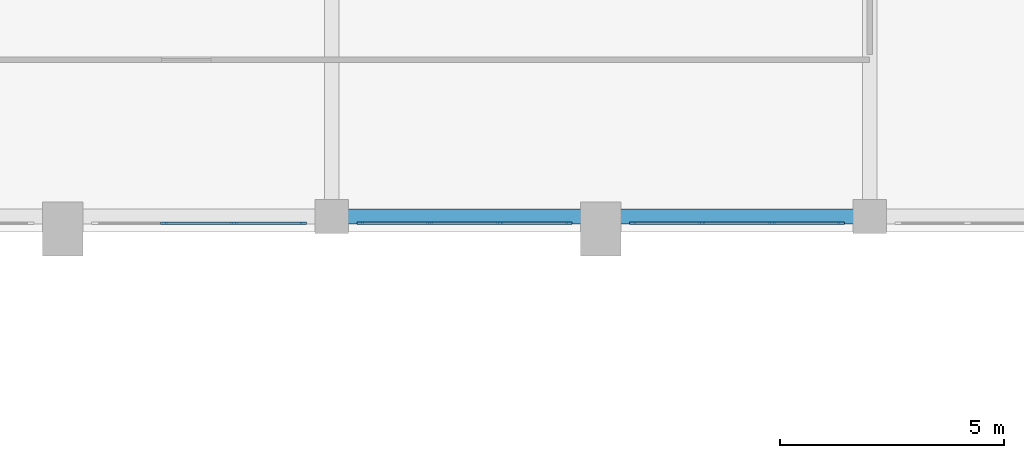
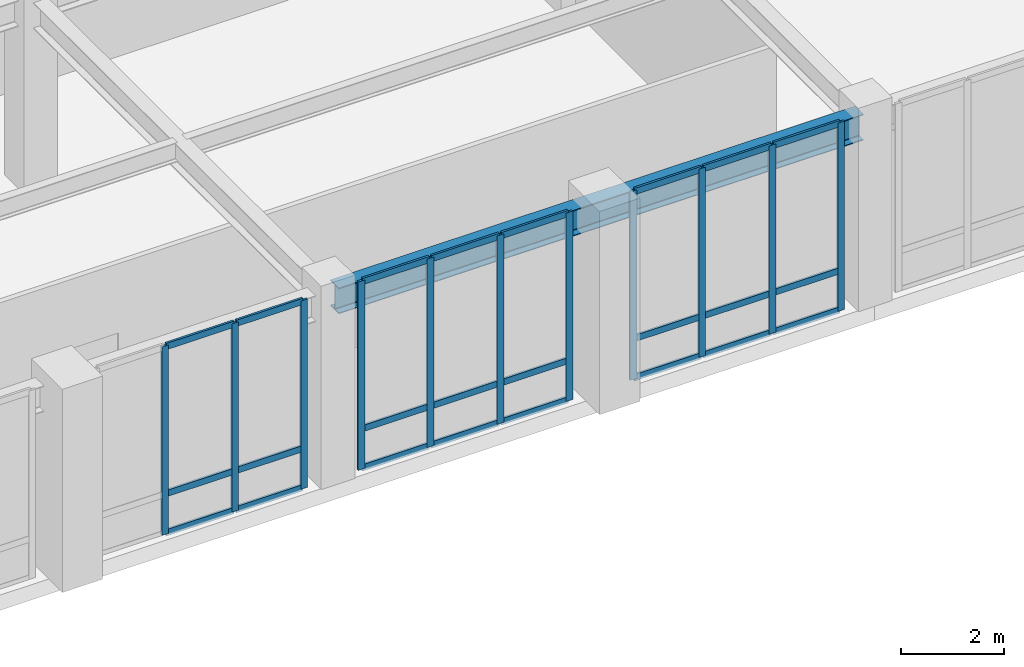
# One storey, part 62 of 126: 35 members, 1 beam, 3 elements without a shape of their own.
"""IFC4 building model written with IfcOpenShell, lengths in metres."""

from ifc_helpers import new_model, si_unit, derived_unit, direction, frame, origin, origin_2d, place, context, subcontext, project, spatial, rectangle, i_section, extrude, material, layer, layer_set, material_profile, profile_set, type_object, element, aggregate, save


model = new_model("IFC4")

# Units and contexts
model_context = context("Model", 3, precision=1e-05, world=origin(), true_north=direction((0.0, 1.0)))
body_context = subcontext(model_context, "Body", "Model", "MODEL_VIEW")
ifc_project = project(units=[si_unit("LENGTHUNIT", "METRE"), si_unit("AREAUNIT", "SQUARE_METRE"), si_unit("VOLUMEUNIT", "CUBIC_METRE"), si_unit("PLANEANGLEUNIT", "RADIAN"), si_unit("MASSUNIT", "GRAM", prefix="KILO"), derived_unit("THERMALTRANSMITTANCEUNIT", [(si_unit("MASSUNIT", "GRAM", prefix="KILO"), 1), (si_unit("TIMEUNIT", "SECOND"), -3), (si_unit("THERMODYNAMICTEMPERATUREUNIT", "KELVIN"), -1)])], contexts=[model_context])

# Site, building, storey
site_placement = place(None, origin())
site = spatial("IfcSite", under=ifc_project, at=site_placement, CompositionType="ELEMENT")
building_placement = place(site_placement, origin())
building = spatial("IfcBuilding", under=site, at=building_placement, Name="Valcora Ridge Arena", CompositionType="ELEMENT")
storey_placement = place(building_placement, frame((0.0, 0.0, 11.39990234375)))
storey = spatial("IfcBuildingStorey", under=building, at=storey_placement, Name="L02", CompositionType="ELEMENT", Elevation=11.39990234375)

# Beam
ifc_material_1 = material(Name="Steel ASTM A572 Grade 50", Category="steel")
ifc_material_profile_1 = material_profile(ifc_material_1, i_section(OverallWidth=0.324951171875, OverallDepth=0.612060546875, WebThickness=0.0126953125, FlangeThickness=0.01904296875, FilletRadius=0.01806640625, at=origin_2d()), Name="W24X104")
ifc_profile_set_1 = profile_set([ifc_material_profile_1], Name="Steel ASTM A572 Grade 50")
beam_type = type_object("IfcBeamType", Name="TY-BEAM-G-W24X104-X", PredefinedType="BEAM", material=ifc_profile_set_1)
beam_placement = place(storey_placement, frame((132.139892578125, 108.699951171875, 4.14404296875), z_axis=(1.0, 0.0, 0.0), x_axis=(0.0, 1.0, 0.0)))
element("IfcBeam", 1, at=beam_placement, inside=storey, type_object=beam_type, Name="G-W24X104-X BEM-G-W24X104-X-0075", PredefinedType="BEAM", context=body_context, shape_type="SweptSolid", body=[
    extrude(i_section(OverallWidth=0.324951171875, OverallDepth=0.612060546875, WebThickness=0.0126953125, FlangeThickness=0.01904296875, FilletRadius=0.01806640625, at=origin_2d()), origin(), (0.0, 0.0, 1.0), 11.72021484375),
])

# Curtain wall, members
ifc_material_2 = material(Name="Anodised dark bronze architectural aluminium 6063-T6", Category="aluminium")
ifc_layer = layer(ifc_material_2, 0.14990234375, Name="Anodised dark bronze architectural aluminium 6063-T6")
ifc_layer_set = layer_set([ifc_layer], Name="Anodised dark bronze architectural aluminium 6063-T6")
curtain_wall_type = type_object("IfcCurtainWallType", Name="TY-CURTAINWALL-CW-V5-MED-047X44", PredefinedType="NOTDEFINED", material=ifc_layer_set)
curtain_wall_1_placement = place(storey_placement, origin())
curtain_wall_1 = element("IfcCurtainWall", 2, at=curtain_wall_1_placement, inside=storey, type_object=curtain_wall_type, Name="CW-V5-MED-047X44 CW-0327", PredefinedType="NOTDEFINED")
ifc_material_profile_2 = material_profile(ifc_material_2, rectangle(XDim=0.050048828125, YDim=0.14990234375, at=origin_2d()), Name="ALU MULLION 50x150")
ifc_profile_set_2 = profile_set([ifc_material_profile_2], Name="Anodised dark bronze architectural aluminium 6063-T6")
member_type_1 = type_object("IfcMemberType", Name="TY-MEM-CWM-50x150", PredefinedType="MULLION", material=ifc_profile_set_2)
member_1_placement = place(storey_placement, frame((128.2548828125, 108.550048828125, 0.0), z_axis=(0.0, 0.0, 1.0), x_axis=(0.0, 1.0, 0.0)))
member_1 = element("IfcMember", 3, at=member_1_placement, type_object=member_type_1, Name="CW-0327/CWM-50x150/M01", PredefinedType="MULLION", context=body_context, shape_type="SweptSolid", body=[
    extrude(rectangle(XDim=0.050048828125, YDim=0.14990234375, at=origin_2d()), origin(), (0.0, 0.0, 1.0), 4.4501953125),
])
member_2_placement = place(storey_placement, frame((129.820068359375, 108.550048828125, 0.0), z_axis=(0.0, 0.0, 1.0), x_axis=(0.0, 1.0, 0.0)))
member_2 = element("IfcMember", 4, at=member_2_placement, type_object=member_type_1, Name="CW-0327/CWM-50x150/M02", PredefinedType="MULLION", context=body_context, shape_type="SweptSolid", body=[
    extrude(rectangle(XDim=0.050048828125, YDim=0.14990234375, at=origin_2d()), origin(), (0.0, 0.0, 1.0), 4.4501953125),
])
member_3_placement = place(storey_placement, frame((131.360107421875, 108.550048828125, 0.0), z_axis=(0.0, 0.0, 1.0), x_axis=(0.0, 1.0, 0.0)))
member_3 = element("IfcMember", 5, at=member_3_placement, type_object=member_type_1, Name="CW-0327/CWM-50x150/M03", PredefinedType="MULLION", context=body_context, shape_type="SweptSolid", body=[
    extrude(rectangle(XDim=0.050048828125, YDim=0.14990234375, at=origin_2d()), origin(), (0.0, 0.0, 1.0), 4.4501953125),
])

curtain_wall_2_placement = place(storey_placement, origin())
curtain_wall_2 = element("IfcCurtainWall", 6, at=curtain_wall_2_placement, inside=storey, type_object=curtain_wall_type, Name="CW-V5-MED-047X44 CW-0328", PredefinedType="NOTDEFINED")
member_4_placement = place(storey_placement, frame((132.639892578125, 108.550048828125, 0.0), z_axis=(0.0, 0.0, 1.0), x_axis=(0.0, 1.0, 0.0)))
member_4 = element("IfcMember", 7, at=member_4_placement, type_object=member_type_1, Name="CW-0328/CWM-50x150/M00", PredefinedType="MULLION", context=body_context, shape_type="SweptSolid", body=[
    extrude(rectangle(XDim=0.050048828125, YDim=0.14990234375, at=origin_2d()), origin(), (0.0, 0.0, 1.0), 4.4501953125),
])
member_5_placement = place(storey_placement, frame((134.179931640625, 108.550048828125, 0.0), z_axis=(0.0, 0.0, 1.0), x_axis=(0.0, 1.0, 0.0)))
member_5 = element("IfcMember", 8, at=member_5_placement, type_object=member_type_1, Name="CW-0328/CWM-50x150/M01", PredefinedType="MULLION", context=body_context, shape_type="SweptSolid", body=[
    extrude(rectangle(XDim=0.050048828125, YDim=0.14990234375, at=origin_2d()), origin(), (0.0, 0.0, 1.0), 4.4501953125),
])
member_6_placement = place(storey_placement, frame((135.7451171875, 108.550048828125, 0.0), z_axis=(0.0, 0.0, 1.0), x_axis=(0.0, 1.0, 0.0)))
member_6 = element("IfcMember", 9, at=member_6_placement, type_object=member_type_1, Name="CW-0328/CWM-50x150/M02", PredefinedType="MULLION", context=body_context, shape_type="SweptSolid", body=[
    extrude(rectangle(XDim=0.050048828125, YDim=0.14990234375, at=origin_2d()), origin(), (0.0, 0.0, 1.0), 4.4501953125),
])
member_7_placement = place(storey_placement, frame((137.284912109375, 108.550048828125, 0.0), z_axis=(0.0, 0.0, 1.0), x_axis=(0.0, 1.0, 0.0)))
member_7 = element("IfcMember", 10, at=member_7_placement, type_object=member_type_1, Name="CW-0328/CWM-50x150/M03", PredefinedType="MULLION", context=body_context, shape_type="SweptSolid", body=[
    extrude(rectangle(XDim=0.050048828125, YDim=0.14990234375, at=origin_2d()), origin(), (0.0, 0.0, 1.0), 4.4501953125),
])

curtain_wall_3_placement = place(storey_placement, origin())
curtain_wall_3 = element("IfcCurtainWall", 11, at=curtain_wall_3_placement, inside=storey, type_object=curtain_wall_type, Name="CW-V5-MED-047X44 CW-0329", PredefinedType="NOTDEFINED")
member_8_placement = place(storey_placement, frame((138.715087890625, 108.550048828125, 0.0), z_axis=(0.0, 0.0, 1.0), x_axis=(0.0, 1.0, 0.0)))
member_8 = element("IfcMember", 12, at=member_8_placement, type_object=member_type_1, Name="CW-0329/CWM-50x150/M00", PredefinedType="MULLION", context=body_context, shape_type="SweptSolid", body=[
    extrude(rectangle(XDim=0.050048828125, YDim=0.14990234375, at=origin_2d()), origin(), (0.0, 0.0, 1.0), 4.4501953125),
])
member_9_placement = place(storey_placement, frame((140.2548828125, 108.550048828125, 0.0), z_axis=(0.0, 0.0, 1.0), x_axis=(0.0, 1.0, 0.0)))
member_9 = element("IfcMember", 13, at=member_9_placement, type_object=member_type_1, Name="CW-0329/CWM-50x150/M01", PredefinedType="MULLION", context=body_context, shape_type="SweptSolid", body=[
    extrude(rectangle(XDim=0.050048828125, YDim=0.14990234375, at=origin_2d()), origin(), (0.0, 0.0, 1.0), 4.4501953125),
])
member_10_placement = place(storey_placement, frame((141.820068359375, 108.550048828125, 0.0), z_axis=(0.0, 0.0, 1.0), x_axis=(0.0, 1.0, 0.0)))
member_10 = element("IfcMember", 14, at=member_10_placement, type_object=member_type_1, Name="CW-0329/CWM-50x150/M02", PredefinedType="MULLION", context=body_context, shape_type="SweptSolid", body=[
    extrude(rectangle(XDim=0.050048828125, YDim=0.14990234375, at=origin_2d()), origin(), (0.0, 0.0, 1.0), 4.4501953125),
])
member_11_placement = place(storey_placement, frame((143.360107421875, 108.550048828125, 0.0), z_axis=(0.0, 0.0, 1.0), x_axis=(0.0, 1.0, 0.0)))
member_11 = element("IfcMember", 15, at=member_11_placement, type_object=member_type_1, Name="CW-0329/CWM-50x150/M03", PredefinedType="MULLION", context=body_context, shape_type="SweptSolid", body=[
    extrude(rectangle(XDim=0.050048828125, YDim=0.14990234375, at=origin_2d()), origin(), (0.0, 0.0, 1.0), 4.4501953125),
])

# Member
ifc_material_profile_3 = material_profile(ifc_material_2, rectangle(XDim=0.050048828125, YDim=0.14990234375, at=origin_2d()), Name="ALU TRANSOM 50x150")
ifc_profile_set_3 = profile_set([ifc_material_profile_3], Name="Anodised dark bronze architectural aluminium 6063-T6")
member_type_2 = type_object("IfcMemberType", Name="TY-MEM-CWT-50x150", PredefinedType="USERDEFINED", material=ifc_profile_set_3)
member_12_placement = place(storey_placement, frame((128.280029296875, 108.550048828125, 0.025146484375), z_axis=(1.0, 0.0, 0.0), x_axis=(0.0, 1.0, 0.0)))
member_12 = element("IfcMember", 16, at=member_12_placement, type_object=member_type_2, Name="CW-0327/CWT-50x150/T01-00", ObjectType="TRANSOM", PredefinedType="USERDEFINED", context=body_context, shape_type="SweptSolid", body=[
    extrude(rectangle(XDim=0.050048828125, YDim=0.14990234375, at=origin_2d()), origin(), (0.0, 0.0, 1.0), 1.514892578125),
])

member_13_placement = place(storey_placement, frame((128.280029296875, 108.550048828125, 0.9501953125), z_axis=(1.0, 0.0, 0.0), x_axis=(0.0, 1.0, 0.0)))
member_13 = element("IfcMember", 17, at=member_13_placement, type_object=member_type_2, Name="CW-0327/CWT-50x150/T01-01", ObjectType="TRANSOM", PredefinedType="USERDEFINED", context=body_context, shape_type="SweptSolid", body=[
    extrude(rectangle(XDim=0.050048828125, YDim=0.14990234375, at=origin_2d()), origin(), (0.0, 0.0, 1.0), 1.514892578125),
])

member_14_placement = place(storey_placement, frame((128.280029296875, 108.550048828125, 4.425048828125), z_axis=(1.0, 0.0, 0.0), x_axis=(0.0, 1.0, 0.0)))
member_14 = element("IfcMember", 18, at=member_14_placement, type_object=member_type_2, Name="CW-0327/CWT-50x150/T01-02", ObjectType="TRANSOM", PredefinedType="USERDEFINED", context=body_context, shape_type="SweptSolid", body=[
    extrude(rectangle(XDim=0.050048828125, YDim=0.14990234375, at=origin_2d()), origin(), (0.0, 0.0, 1.0), 1.514892578125),
])

member_15_placement = place(storey_placement, frame((129.844970703125, 108.550048828125, 0.025146484375), z_axis=(1.0, 0.0, 0.0), x_axis=(0.0, 1.0, 0.0)))
member_15 = element("IfcMember", 19, at=member_15_placement, type_object=member_type_2, Name="CW-0327/CWT-50x150/T02-00", ObjectType="TRANSOM", PredefinedType="USERDEFINED", context=body_context, shape_type="SweptSolid", body=[
    extrude(rectangle(XDim=0.050048828125, YDim=0.14990234375, at=origin_2d()), origin(), (0.0, 0.0, 1.0), 1.489990234375),
])

member_16_placement = place(storey_placement, frame((129.844970703125, 108.550048828125, 0.9501953125), z_axis=(1.0, 0.0, 0.0), x_axis=(0.0, 1.0, 0.0)))
member_16 = element("IfcMember", 20, at=member_16_placement, type_object=member_type_2, Name="CW-0327/CWT-50x150/T02-01", ObjectType="TRANSOM", PredefinedType="USERDEFINED", context=body_context, shape_type="SweptSolid", body=[
    extrude(rectangle(XDim=0.050048828125, YDim=0.14990234375, at=origin_2d()), origin(), (0.0, 0.0, 1.0), 1.489990234375),
])

member_17_placement = place(storey_placement, frame((129.844970703125, 108.550048828125, 4.425048828125), z_axis=(1.0, 0.0, 0.0), x_axis=(0.0, 1.0, 0.0)))
member_17 = element("IfcMember", 21, at=member_17_placement, type_object=member_type_2, Name="CW-0327/CWT-50x150/T02-02", ObjectType="TRANSOM", PredefinedType="USERDEFINED", context=body_context, shape_type="SweptSolid", body=[
    extrude(rectangle(XDim=0.050048828125, YDim=0.14990234375, at=origin_2d()), origin(), (0.0, 0.0, 1.0), 1.489990234375),
])

aggregate(curtain_wall_1, [member_1, member_2, member_3, member_12, member_13, member_14, member_15, member_16, member_17])

member_18_placement = place(storey_placement, frame((132.6650390625, 108.550048828125, 0.025146484375), z_axis=(1.0, 0.0, 0.0), x_axis=(0.0, 1.0, 0.0)))
member_18 = element("IfcMember", 22, at=member_18_placement, type_object=member_type_2, Name="CW-0328/CWT-50x150/T00-00", ObjectType="TRANSOM", PredefinedType="USERDEFINED", context=body_context, shape_type="SweptSolid", body=[
    extrude(rectangle(XDim=0.050048828125, YDim=0.14990234375, at=origin_2d()), origin(), (0.0, 0.0, 1.0), 1.489990234375),
])

member_19_placement = place(storey_placement, frame((132.6650390625, 108.550048828125, 0.9501953125), z_axis=(1.0, 0.0, 0.0), x_axis=(0.0, 1.0, 0.0)))
member_19 = element("IfcMember", 23, at=member_19_placement, type_object=member_type_2, Name="CW-0328/CWT-50x150/T00-01", ObjectType="TRANSOM", PredefinedType="USERDEFINED", context=body_context, shape_type="SweptSolid", body=[
    extrude(rectangle(XDim=0.050048828125, YDim=0.14990234375, at=origin_2d()), origin(), (0.0, 0.0, 1.0), 1.489990234375),
])

member_20_placement = place(storey_placement, frame((132.6650390625, 108.550048828125, 4.425048828125), z_axis=(1.0, 0.0, 0.0), x_axis=(0.0, 1.0, 0.0)))
member_20 = element("IfcMember", 24, at=member_20_placement, type_object=member_type_2, Name="CW-0328/CWT-50x150/T00-02", ObjectType="TRANSOM", PredefinedType="USERDEFINED", context=body_context, shape_type="SweptSolid", body=[
    extrude(rectangle(XDim=0.050048828125, YDim=0.14990234375, at=origin_2d()), origin(), (0.0, 0.0, 1.0), 1.489990234375),
])

member_21_placement = place(storey_placement, frame((134.205078125, 108.550048828125, 0.025146484375), z_axis=(1.0, 0.0, 0.0), x_axis=(0.0, 1.0, 0.0)))
member_21 = element("IfcMember", 25, at=member_21_placement, type_object=member_type_2, Name="CW-0328/CWT-50x150/T01-00", ObjectType="TRANSOM", PredefinedType="USERDEFINED", context=body_context, shape_type="SweptSolid", body=[
    extrude(rectangle(XDim=0.050048828125, YDim=0.14990234375, at=origin_2d()), origin(), (0.0, 0.0, 1.0), 1.514892578125),
])

member_22_placement = place(storey_placement, frame((134.205078125, 108.550048828125, 0.9501953125), z_axis=(1.0, 0.0, 0.0), x_axis=(0.0, 1.0, 0.0)))
member_22 = element("IfcMember", 26, at=member_22_placement, type_object=member_type_2, Name="CW-0328/CWT-50x150/T01-01", ObjectType="TRANSOM", PredefinedType="USERDEFINED", context=body_context, shape_type="SweptSolid", body=[
    extrude(rectangle(XDim=0.050048828125, YDim=0.14990234375, at=origin_2d()), origin(), (0.0, 0.0, 1.0), 1.514892578125),
])

member_23_placement = place(storey_placement, frame((134.205078125, 108.550048828125, 4.425048828125), z_axis=(1.0, 0.0, 0.0), x_axis=(0.0, 1.0, 0.0)))
member_23 = element("IfcMember", 27, at=member_23_placement, type_object=member_type_2, Name="CW-0328/CWT-50x150/T01-02", ObjectType="TRANSOM", PredefinedType="USERDEFINED", context=body_context, shape_type="SweptSolid", body=[
    extrude(rectangle(XDim=0.050048828125, YDim=0.14990234375, at=origin_2d()), origin(), (0.0, 0.0, 1.0), 1.514892578125),
])

member_24_placement = place(storey_placement, frame((135.77001953125, 108.550048828125, 0.025146484375), z_axis=(1.0, 0.0, 0.0), x_axis=(0.0, 1.0, 0.0)))
member_24 = element("IfcMember", 28, at=member_24_placement, type_object=member_type_2, Name="CW-0328/CWT-50x150/T02-00", ObjectType="TRANSOM", PredefinedType="USERDEFINED", context=body_context, shape_type="SweptSolid", body=[
    extrude(rectangle(XDim=0.050048828125, YDim=0.14990234375, at=origin_2d()), origin(), (0.0, 0.0, 1.0), 1.489990234375),
])

member_25_placement = place(storey_placement, frame((135.77001953125, 108.550048828125, 0.9501953125), z_axis=(1.0, 0.0, 0.0), x_axis=(0.0, 1.0, 0.0)))
member_25 = element("IfcMember", 29, at=member_25_placement, type_object=member_type_2, Name="CW-0328/CWT-50x150/T02-01", ObjectType="TRANSOM", PredefinedType="USERDEFINED", context=body_context, shape_type="SweptSolid", body=[
    extrude(rectangle(XDim=0.050048828125, YDim=0.14990234375, at=origin_2d()), origin(), (0.0, 0.0, 1.0), 1.489990234375),
])

member_26_placement = place(storey_placement, frame((135.77001953125, 108.550048828125, 4.425048828125), z_axis=(1.0, 0.0, 0.0), x_axis=(0.0, 1.0, 0.0)))
member_26 = element("IfcMember", 30, at=member_26_placement, type_object=member_type_2, Name="CW-0328/CWT-50x150/T02-02", ObjectType="TRANSOM", PredefinedType="USERDEFINED", context=body_context, shape_type="SweptSolid", body=[
    extrude(rectangle(XDim=0.050048828125, YDim=0.14990234375, at=origin_2d()), origin(), (0.0, 0.0, 1.0), 1.489990234375),
])

aggregate(curtain_wall_2, [member_4, member_5, member_6, member_7, member_18, member_19, member_20, member_21, member_22, member_23, member_24, member_25, member_26])

member_27_placement = place(storey_placement, frame((138.739990234375, 108.550048828125, 0.025146484375), z_axis=(1.0, 0.0, 0.0), x_axis=(0.0, 1.0, 0.0)))
member_27 = element("IfcMember", 31, at=member_27_placement, type_object=member_type_2, Name="CW-0329/CWT-50x150/T00-00", ObjectType="TRANSOM", PredefinedType="USERDEFINED", context=body_context, shape_type="SweptSolid", body=[
    extrude(rectangle(XDim=0.050048828125, YDim=0.14990234375, at=origin_2d()), origin(), (0.0, 0.0, 1.0), 1.489990234375),
])

member_28_placement = place(storey_placement, frame((138.739990234375, 108.550048828125, 0.9501953125), z_axis=(1.0, 0.0, 0.0), x_axis=(0.0, 1.0, 0.0)))
member_28 = element("IfcMember", 32, at=member_28_placement, type_object=member_type_2, Name="CW-0329/CWT-50x150/T00-01", ObjectType="TRANSOM", PredefinedType="USERDEFINED", context=body_context, shape_type="SweptSolid", body=[
    extrude(rectangle(XDim=0.050048828125, YDim=0.14990234375, at=origin_2d()), origin(), (0.0, 0.0, 1.0), 1.489990234375),
])

member_29_placement = place(storey_placement, frame((138.739990234375, 108.550048828125, 4.425048828125), z_axis=(1.0, 0.0, 0.0), x_axis=(0.0, 1.0, 0.0)))
member_29 = element("IfcMember", 33, at=member_29_placement, type_object=member_type_2, Name="CW-0329/CWT-50x150/T00-02", ObjectType="TRANSOM", PredefinedType="USERDEFINED", context=body_context, shape_type="SweptSolid", body=[
    extrude(rectangle(XDim=0.050048828125, YDim=0.14990234375, at=origin_2d()), origin(), (0.0, 0.0, 1.0), 1.489990234375),
])

member_30_placement = place(storey_placement, frame((140.280029296875, 108.550048828125, 0.025146484375), z_axis=(1.0, 0.0, 0.0), x_axis=(0.0, 1.0, 0.0)))
member_30 = element("IfcMember", 34, at=member_30_placement, type_object=member_type_2, Name="CW-0329/CWT-50x150/T01-00", ObjectType="TRANSOM", PredefinedType="USERDEFINED", context=body_context, shape_type="SweptSolid", body=[
    extrude(rectangle(XDim=0.050048828125, YDim=0.14990234375, at=origin_2d()), origin(), (0.0, 0.0, 1.0), 1.514892578125),
])

member_31_placement = place(storey_placement, frame((140.280029296875, 108.550048828125, 0.9501953125), z_axis=(1.0, 0.0, 0.0), x_axis=(0.0, 1.0, 0.0)))
member_31 = element("IfcMember", 35, at=member_31_placement, type_object=member_type_2, Name="CW-0329/CWT-50x150/T01-01", ObjectType="TRANSOM", PredefinedType="USERDEFINED", context=body_context, shape_type="SweptSolid", body=[
    extrude(rectangle(XDim=0.050048828125, YDim=0.14990234375, at=origin_2d()), origin(), (0.0, 0.0, 1.0), 1.514892578125),
])

member_32_placement = place(storey_placement, frame((140.280029296875, 108.550048828125, 4.425048828125), z_axis=(1.0, 0.0, 0.0), x_axis=(0.0, 1.0, 0.0)))
member_32 = element("IfcMember", 36, at=member_32_placement, type_object=member_type_2, Name="CW-0329/CWT-50x150/T01-02", ObjectType="TRANSOM", PredefinedType="USERDEFINED", context=body_context, shape_type="SweptSolid", body=[
    extrude(rectangle(XDim=0.050048828125, YDim=0.14990234375, at=origin_2d()), origin(), (0.0, 0.0, 1.0), 1.514892578125),
])

member_33_placement = place(storey_placement, frame((141.844970703125, 108.550048828125, 0.025146484375), z_axis=(1.0, 0.0, 0.0), x_axis=(0.0, 1.0, 0.0)))
member_33 = element("IfcMember", 37, at=member_33_placement, type_object=member_type_2, Name="CW-0329/CWT-50x150/T02-00", ObjectType="TRANSOM", PredefinedType="USERDEFINED", context=body_context, shape_type="SweptSolid", body=[
    extrude(rectangle(XDim=0.050048828125, YDim=0.14990234375, at=origin_2d()), origin(), (0.0, 0.0, 1.0), 1.489990234375),
])

member_34_placement = place(storey_placement, frame((141.844970703125, 108.550048828125, 0.9501953125), z_axis=(1.0, 0.0, 0.0), x_axis=(0.0, 1.0, 0.0)))
member_34 = element("IfcMember", 38, at=member_34_placement, type_object=member_type_2, Name="CW-0329/CWT-50x150/T02-01", ObjectType="TRANSOM", PredefinedType="USERDEFINED", context=body_context, shape_type="SweptSolid", body=[
    extrude(rectangle(XDim=0.050048828125, YDim=0.14990234375, at=origin_2d()), origin(), (0.0, 0.0, 1.0), 1.489990234375),
])

member_35_placement = place(storey_placement, frame((141.844970703125, 108.550048828125, 4.425048828125), z_axis=(1.0, 0.0, 0.0), x_axis=(0.0, 1.0, 0.0)))
member_35 = element("IfcMember", 39, at=member_35_placement, type_object=member_type_2, Name="CW-0329/CWT-50x150/T02-02", ObjectType="TRANSOM", PredefinedType="USERDEFINED", context=body_context, shape_type="SweptSolid", body=[
    extrude(rectangle(XDim=0.050048828125, YDim=0.14990234375, at=origin_2d()), origin(), (0.0, 0.0, 1.0), 1.489990234375),
])

aggregate(curtain_wall_3, [member_8, member_9, member_10, member_11, member_27, member_28, member_29, member_30, member_31, member_32, member_33, member_34, member_35])

save(model, "model.ifc")
